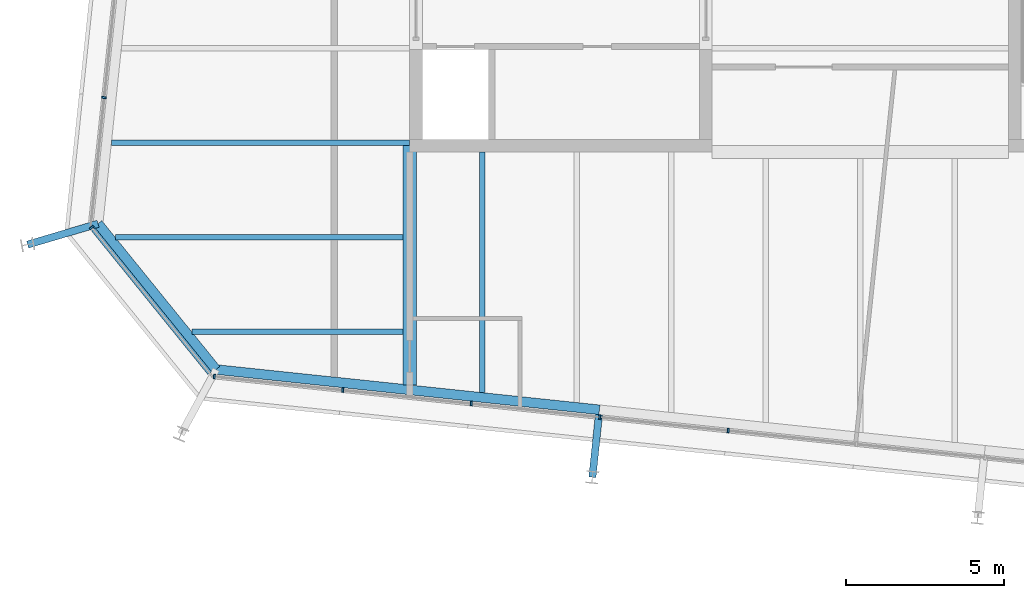
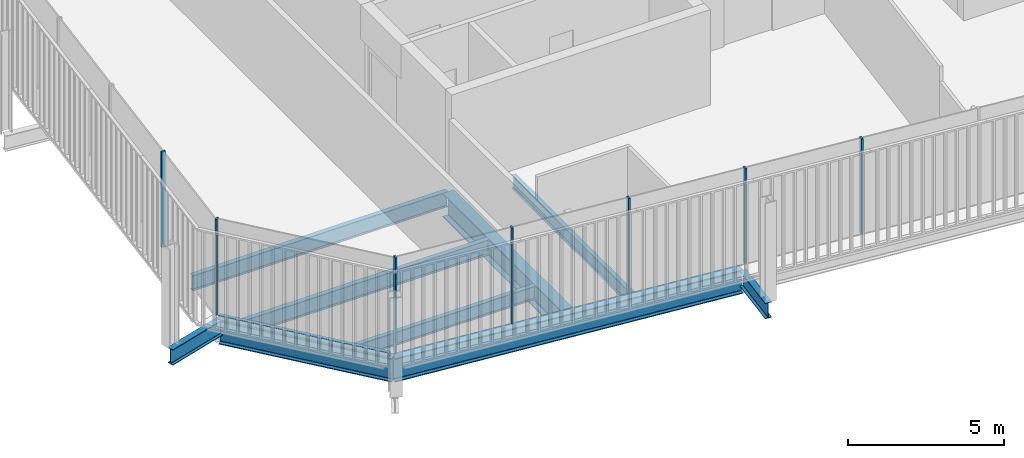
# One storey, part 3 of 20: 9 beams, 8 members, 3 elements without a shape of their own.
"""IFC4 building model written with IfcOpenShell, lengths in metres."""

from ifc_helpers import new_model, si_unit, direction, frame, origin, origin_2d, place, context, subcontext, project, spatial, rectangle, i_section, extrude, material, layer, layer_set, material_profile, profile_set, type_object, element, aggregate, save


model = new_model("IFC4")

# Units and contexts
model_context = context("Model", 3, precision=1e-05, world=origin(), true_north=direction((0.0, 1.0)))
body_context = subcontext(model_context, "Body", "Model", "MODEL_VIEW")
ifc_project = project(units=[si_unit("LENGTHUNIT", "METRE"), si_unit("AREAUNIT", "SQUARE_METRE"), si_unit("VOLUMEUNIT", "CUBIC_METRE"), si_unit("PLANEANGLEUNIT", "RADIAN"), si_unit("MASSUNIT", "GRAM", prefix="KILO")], contexts=[model_context])

# Site, building, storey
site_placement = place(None, origin())
site = spatial("IfcSite", under=ifc_project, at=site_placement, CompositionType="ELEMENT")
building_placement = place(site_placement, origin())
building = spatial("IfcBuilding", under=site, at=building_placement, Name="Millrace Tower", CompositionType="ELEMENT")
storey_placement = place(building_placement, frame((0.0, 0.0, 330.39990234375)))
storey = spatial("IfcBuildingStorey", under=building, at=storey_placement, Name="L76", CompositionType="ELEMENT", Elevation=330.39990234375)

# Curtain wall, member
ifc_material_1 = material(Name="Aluminium and glass", Category="aluminium")
ifc_layer = layer(ifc_material_1, 0.14990234375)
ifc_layer_set = layer_set([ifc_layer], Name="Aluminium and glass")
curtain_wall_type = type_object("IfcCurtainWallType", Name="CW-1 office vision curtain wall", PredefinedType="NOTDEFINED", material=ifc_layer_set)
placement = place(storey_placement, origin())
curtain_wall_1 = element("IfcCurtainWall", 1, at=placement, inside=storey, type_object=curtain_wall_type, Name="Curtain wall E-F01 L76", PredefinedType="NOTDEFINED")
ifc_material_2 = material(Name="Aluminium", Category="aluminium")
ifc_material_profile_1 = material_profile(ifc_material_2, rectangle(XDim=0.06494140625, YDim=0.14990234375, at=origin_2d()))
ifc_profile_set_1 = profile_set([ifc_material_profile_1], Name="Aluminium")
member_type_1 = type_object("IfcMemberType", Name="CW-1 office vision curtain wall mullion", PredefinedType="MULLION", material=ifc_profile_set_1)
member_1_placement = place(storey_placement, frame((-24.391845703125, -11.693359375, 0.14013671875), z_axis=(0.0, 0.0, 1.0), x_axis=(0.629320278945, -0.777146052237, 0.0)))
member_1 = element("IfcMember", 2, at=member_1_placement, type_object=member_type_1, Name="CW1 mullion E-F01.1", PredefinedType="MULLION", context=body_context, shape_type="SweptSolid", body=[
    extrude(rectangle(XDim=0.06494140625, YDim=0.14990234375, at=origin_2d()), origin(), (0.0, 0.0, 1.0), 3.760009765625),
])

# Curtain wall, members
curtain_wall_2 = element("IfcCurtainWall", 3, at=placement, inside=storey, type_object=curtain_wall_type, Name="Curtain wall E-F02 L76", PredefinedType="NOTDEFINED")
member_2_placement = place(storey_placement, frame((-20.50244140625, -16.4248046875, 0.14013671875), z_axis=(0.0, 0.0, 1.0), x_axis=(0.994521896217, -0.104528455196, 0.0)))
member_2 = element("IfcMember", 4, at=member_2_placement, type_object=member_type_1, Name="CW1 mullion E-F02.1", PredefinedType="MULLION", context=body_context, shape_type="SweptSolid", body=[
    extrude(rectangle(XDim=0.06494140625, YDim=0.14990234375, at=origin_2d()), origin(), (0.0, 0.0, 1.0), 3.760009765625),
])
member_3_placement = place(storey_placement, frame((-16.425048828125, -16.853271484375, 0.14013671875), z_axis=(0.0, 0.0, 1.0), x_axis=(0.994521896217, -0.104528455196, 0.0)))
member_3 = element("IfcMember", 5, at=member_3_placement, type_object=member_type_1, Name="CW1 mullion E-F02.2", PredefinedType="MULLION", context=body_context, shape_type="SweptSolid", body=[
    extrude(rectangle(XDim=0.06494140625, YDim=0.14990234375, at=origin_2d()), origin(), (0.0, 0.0, 1.0), 3.760009765625),
])
member_4_placement = place(storey_placement, frame((-12.347412109375, -17.281982421875, 0.14013671875), z_axis=(0.0, 0.0, 1.0), x_axis=(0.994521896217, -0.104528455196, 0.0)))
member_4 = element("IfcMember", 6, at=member_4_placement, type_object=member_type_1, Name="CW1 mullion E-F02.3", PredefinedType="MULLION", context=body_context, shape_type="SweptSolid", body=[
    extrude(rectangle(XDim=0.06494140625, YDim=0.14990234375, at=origin_2d()), origin(), (0.0, 0.0, 1.0), 3.760009765625),
])
member_5_placement = place(storey_placement, frame((-8.269775390625, -17.71044921875, 0.14013671875), z_axis=(0.0, 0.0, 1.0), x_axis=(0.994521896217, -0.104528455196, 0.0)))
member_5 = element("IfcMember", 7, at=member_5_placement, type_object=member_type_1, Name="CW1 mullion E-F02.4", PredefinedType="MULLION", context=body_context, shape_type="SweptSolid", body=[
    extrude(rectangle(XDim=0.06494140625, YDim=0.14990234375, at=origin_2d()), origin(), (0.0, 0.0, 1.0), 3.760009765625),
])
member_6_placement = place(storey_placement, frame((-4.1923828125, -18.13916015625, 0.14013671875), z_axis=(0.0, 0.0, 1.0), x_axis=(0.994521896217, -0.104528455196, 0.0)))
member_6 = element("IfcMember", 8, at=member_6_placement, type_object=member_type_1, Name="CW1 mullion E-F02.5", PredefinedType="MULLION", context=body_context, shape_type="SweptSolid", body=[
    extrude(rectangle(XDim=0.06494140625, YDim=0.14990234375, at=origin_2d()), origin(), (0.0, 0.0, 1.0), 3.760009765625),
])
aggregate(curtain_wall_2, [member_2, member_3, member_4, member_5, member_6])

# Curtain wall, member
curtain_wall_3 = element("IfcCurtainWall", 9, at=placement, inside=storey, type_object=curtain_wall_type, Name="Curtain wall E-F08 L76", PredefinedType="NOTDEFINED")
member_7_placement = place(storey_placement, frame((-24.00341796875, -7.56787109375, 0.14013671875), z_axis=(0.0, 0.0, 1.0), x_axis=(-0.104528455196, -0.994521896217, 0.0)))
member_7 = element("IfcMember", 10, at=member_7_placement, type_object=member_type_1, Name="CW1 mullion E-F08.9", PredefinedType="MULLION", context=body_context, shape_type="SweptSolid", body=[
    extrude(rectangle(XDim=0.06494140625, YDim=0.14990234375, at=origin_2d()), origin(), (0.0, 0.0, 1.0), 3.760009765625),
])
aggregate(curtain_wall_3, [member_7])

# Member
ifc_material_3 = material(Name="Aluminium", Category="aluminium")
ifc_material_profile_2 = material_profile(ifc_material_3, rectangle(XDim=0.14990234375, YDim=0.139892578125, at=origin_2d()))
ifc_profile_set_2 = profile_set([ifc_material_profile_2], Name="Aluminium")
member_type_2 = type_object("IfcMemberType", Name="CW-1 office vision curtain wall transom", PredefinedType="USERDEFINED", material=ifc_profile_set_2)
member_8_placement = place(storey_placement, frame((-24.349365234375, -11.745849609375, 0.070068359375), z_axis=(0.629321221277, -0.777145289151, 0.0), x_axis=(0.777145289151, 0.629321221277, 0.0)))
member_8 = element("IfcMember", 11, at=member_8_placement, type_object=member_type_2, Name="CW1 transom E-F01.1", ObjectType="TRANSOM", PredefinedType="USERDEFINED", context=body_context, shape_type="SweptSolid", body=[
    extrude(rectangle(XDim=0.14990234375, YDim=0.139892578125, at=origin_2d()), origin(), (0.0, 0.0, 1.0), 5.881103515625),
])

aggregate(curtain_wall_1, [member_1, member_8])

# Beams
ifc_material_4 = material(Name="Steel ASTM A992 Grade 50", Category="steel")
ifc_material_profile_3 = material_profile(ifc_material_4, i_section(OverallWidth=0.1650390625, OverallDepth=0.52587890625, WebThickness=0.0087890625, FlangeThickness=0.011474609375, FilletRadius=0.0126953125, at=origin_2d()))
ifc_profile_set_3 = profile_set([ifc_material_profile_3], Name="Steel ASTM A992 Grade 50")
beam_type_1 = type_object("IfcBeamType", Name="Floor beam W21x44", PredefinedType="JOIST", material=ifc_profile_set_3)
beam_1_placement = place(storey_placement, frame((-12.0, -16.93408203125, -0.4228515625), z_axis=(0.0, 1.0, 0.0), x_axis=(-1.0, 0.0, 0.0)))
element("IfcBeam", 12, at=beam_1_placement, inside=storey, type_object=beam_type_1, Name="BM-E-L76-S1-S037", PredefinedType="JOIST", context=body_context, shape_type="SweptSolid", body=[
    extrude(i_section(OverallWidth=0.1650390625, OverallDepth=0.52587890625, WebThickness=0.0087890625, FlangeThickness=0.011474609375, FilletRadius=0.0126953125, at=origin_2d()), origin(), (0.0, 0.0, 1.0), 7.634033203125),
])
beam_2_placement = place(storey_placement, frame((-21.214111328125, -15.0, -0.4228515625), z_axis=(1.0, 0.0, 0.0), x_axis=(0.0, 1.0, 0.0)))
element("IfcBeam", 13, at=beam_2_placement, inside=storey, type_object=beam_type_1, Name="BM-E-L76-S1-S002", PredefinedType="JOIST", context=body_context, shape_type="SweptSolid", body=[
    extrude(i_section(OverallWidth=0.1650390625, OverallDepth=0.52587890625, WebThickness=0.0087890625, FlangeThickness=0.011474609375, FilletRadius=0.0126953125, at=origin_2d()), origin(), (0.0, 0.0, 1.0), 6.70458984375),
])
ifc_material_5 = material(Name="Steel ASTM A992 Grade 50", Category="steel")
ifc_material_profile_4 = material_profile(ifc_material_5, i_section(OverallWidth=0.177978515625, OverallDepth=0.599365234375, WebThickness=0.010009765625, FlangeThickness=0.012939453125, FilletRadius=0.012939453125, at=origin_2d()))
ifc_profile_set_4 = profile_set([ifc_material_profile_4], Name="Steel ASTM A992 Grade 50")
beam_type_2 = type_object("IfcBeamType", Name="Floor beam W24x55", PredefinedType="JOIST", material=ifc_profile_set_4)
beam_3_placement = place(storey_placement, frame((-23.76953125, -9.0, -0.459716796875), z_axis=(1.0, 0.0, 0.0), x_axis=(0.0, 1.0, 0.0)))
element("IfcBeam", 14, at=beam_3_placement, inside=storey, type_object=beam_type_2, Name="BM-E-L76-S1-S006", PredefinedType="JOIST", context=body_context, shape_type="SweptSolid", body=[
    extrude(i_section(OverallWidth=0.177978515625, OverallDepth=0.599365234375, WebThickness=0.010009765625, FlangeThickness=0.012939453125, FilletRadius=0.012939453125, at=origin_2d()), origin(), (0.0, 0.0, 1.0), 9.469482421875),
])
beam_4_placement = place(storey_placement, frame((-23.635498046875, -12.0, -0.459716796875), z_axis=(1.0, 0.0, 0.0), x_axis=(0.0, 1.0, 0.0)))
element("IfcBeam", 15, at=beam_4_placement, inside=storey, type_object=beam_type_2, Name="BM-E-L76-S1-S004", PredefinedType="JOIST", context=body_context, shape_type="SweptSolid", body=[
    extrude(i_section(OverallWidth=0.177978515625, OverallDepth=0.599365234375, WebThickness=0.010009765625, FlangeThickness=0.012939453125, FilletRadius=0.012939453125, at=origin_2d()), origin(), (0.0, 0.0, 1.0), 9.1259765625),
])
ifc_material_6 = material(Name="Steel ASTM A992 Grade 50", Category="steel")
ifc_material_profile_5 = material_profile(ifc_material_6, i_section(OverallWidth=0.419189453125, OverallDepth=0.927001953125, WebThickness=0.019287109375, FlangeThickness=0.031982421875, FilletRadius=0.024169921875, at=origin_2d()))
ifc_profile_set_5 = profile_set([ifc_material_profile_5], Name="Steel ASTM A992 Grade 50")
beam_type_3 = type_object("IfcBeamType", Name="Girder short span W36x231", PredefinedType="BEAM", material=ifc_profile_set_5)
beam_5_placement = place(storey_placement, frame((-14.300048828125, -16.6923828125, -0.62353515625), z_axis=(0.0, 1.0, 0.0), x_axis=(-1.0, 0.0, 0.0)))
element("IfcBeam", 16, at=beam_5_placement, inside=storey, type_object=beam_type_3, Name="BM-E-L76-S1-G055", PredefinedType="BEAM", context=body_context, shape_type="SweptSolid", body=[
    extrude(i_section(OverallWidth=0.419189453125, OverallDepth=0.927001953125, WebThickness=0.019287109375, FlangeThickness=0.031982421875, FilletRadius=0.024169921875, at=origin_2d()), origin(), (0.0, 0.0, 1.0), 7.600341796875),
])
ifc_material_7 = material(Name="Steel ASTM A992 Grade 50", Category="steel")
ifc_material_profile_6 = material_profile(ifc_material_7, i_section(OverallWidth=0.23046875, OverallDepth=0.6171875, WebThickness=0.01318359375, FlangeThickness=0.022216796875, FilletRadius=0.012939453125, at=origin_2d()))
ifc_profile_set_6 = profile_set([ifc_material_profile_6], Name="Steel ASTM A992 Grade 50")
beam_type_4 = type_object("IfcBeamType", Name="Link beam W24x94", PredefinedType="BEAM", material=ifc_profile_set_6)
beam_6_placement = place(storey_placement, frame((-24.1943359375, -11.57373046875, -0.468505859375), z_axis=(-0.958815015936, -0.284031275065, 0.0), x_axis=(0.284031275065, -0.958815015936, 0.0)))
element("IfcBeam", 17, at=beam_6_placement, inside=storey, type_object=beam_type_4, Name="LNK-E-L76-S1-01", PredefinedType="BEAM", context=body_context, shape_type="SweptSolid", body=[
    extrude(i_section(OverallWidth=0.23046875, OverallDepth=0.6171875, WebThickness=0.01318359375, FlangeThickness=0.022216796875, FilletRadius=0.012939453125, at=origin_2d()), origin(), (0.0, 0.0, 1.0), 2.3310546875),
])
beam_7_placement = place(storey_placement, frame((-8.29443359375, -17.632568359375, -0.468505859375), z_axis=(-0.104494148666, -0.99452550138, 0.0), x_axis=(0.99452550138, -0.104494148666, 0.0)))
element("IfcBeam", 18, at=beam_7_placement, inside=storey, type_object=beam_type_4, Name="LNK-E-L76-S1-15", PredefinedType="BEAM", context=body_context, shape_type="SweptSolid", body=[
    extrude(i_section(OverallWidth=0.23046875, OverallDepth=0.6171875, WebThickness=0.01318359375, FlangeThickness=0.022216796875, FilletRadius=0.012939453125, at=origin_2d()), origin(), (0.0, 0.0, 1.0), 2.0),
])
ifc_material_8 = material(Name="Steel ASTM A992 Grade 50", Category="steel")
ifc_material_profile_7 = material_profile(ifc_material_8, i_section(OverallWidth=0.307373046875, OverallDepth=0.927001953125, WebThickness=0.01953125, FlangeThickness=0.031982421875, FilletRadius=0.01904296875, at=origin_2d()))
ifc_profile_set_7 = profile_set([ifc_material_profile_7], Name="Steel ASTM A992 Grade 50")
beam_type_5 = type_object("IfcBeamType", Name="Ring beam medium span W36x194", PredefinedType="SPANDREL", material=ifc_profile_set_7)
beam_8_placement = place(storey_placement, frame((-8.2783203125, -17.479736328125, -0.62353515625), z_axis=(-0.994521730693, 0.104530030035, 0.0), x_axis=(-0.104530030035, -0.994521730693, 0.0)))
element("IfcBeam", 19, at=beam_8_placement, inside=storey, type_object=beam_type_5, Name="RNG-E-L76-S1-15", PredefinedType="SPANDREL", context=body_context, shape_type="SweptSolid", body=[
    extrude(i_section(OverallWidth=0.307373046875, OverallDepth=0.927001953125, WebThickness=0.01953125, FlangeThickness=0.031982421875, FilletRadius=0.01904296875, at=origin_2d()), origin(), (0.0, 0.0, 1.0), 12.236328125),
])
ifc_material_9 = material(Name="Steel ASTM A992 Grade 50", Category="steel")
ifc_material_profile_8 = material_profile(ifc_material_9, i_section(OverallWidth=0.307373046875, OverallDepth=0.927001953125, WebThickness=0.01953125, FlangeThickness=0.031982421875, FilletRadius=0.01904296875, at=origin_2d()))
ifc_profile_set_8 = profile_set([ifc_material_profile_8], Name="Steel ASTM A992 Grade 50")
beam_type_6 = type_object("IfcBeamType", Name="Ring beam short span W36x194", PredefinedType="SPANDREL", material=ifc_profile_set_8)
beam_9_placement = place(storey_placement, frame((-20.447509765625, -16.20068359375, -0.62353515625), z_axis=(-0.629319722443, 0.777146502883, 0.0), x_axis=(-0.777146502883, -0.629319722443, 0.0)))
element("IfcBeam", 20, at=beam_9_placement, inside=storey, type_object=beam_type_6, Name="RNG-E-L76-S1-16", PredefinedType="SPANDREL", context=body_context, shape_type="SweptSolid", body=[
    extrude(i_section(OverallWidth=0.307373046875, OverallDepth=0.927001953125, WebThickness=0.01953125, FlangeThickness=0.031982421875, FilletRadius=0.01904296875, at=origin_2d()), origin(), (0.0, 0.0, 1.0), 5.953857421875),
])

save(model, "model.ifc")
